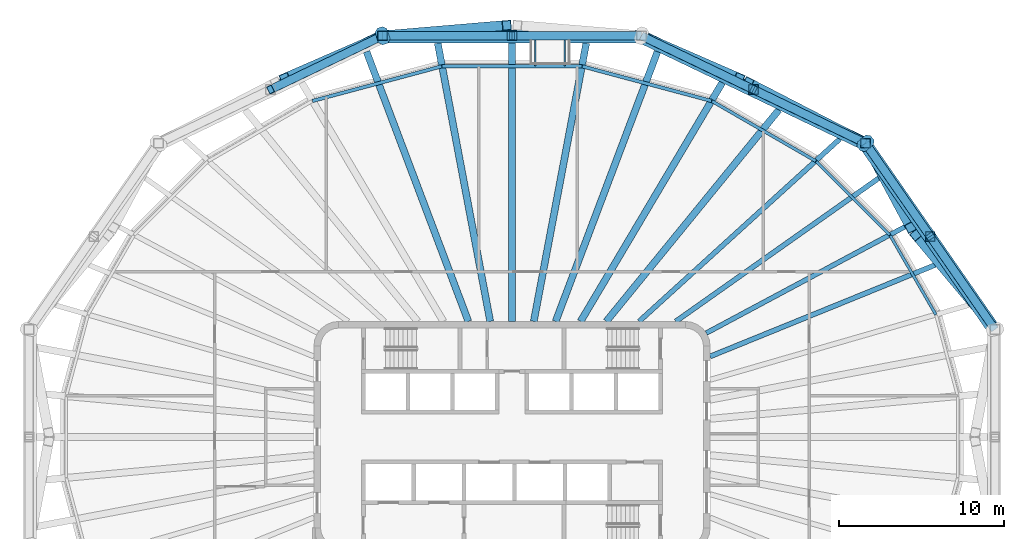
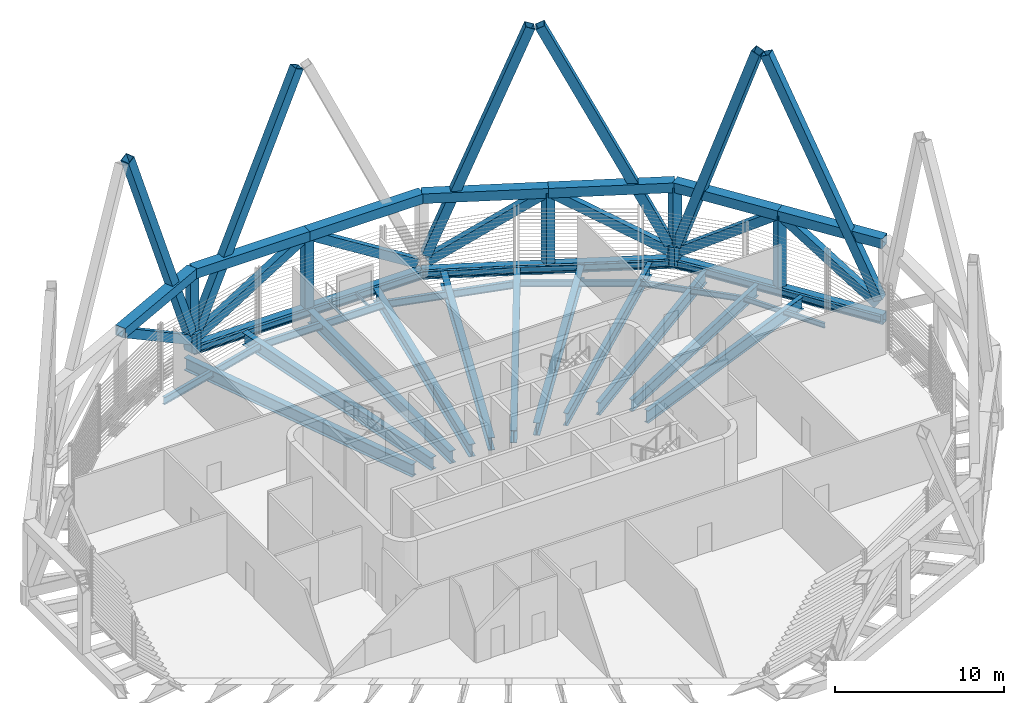
# One storey, part 4 of 16: 27 members, 25 beams.
"""IFC4 building model written with IfcOpenShell, lengths in metres."""

from ifc_helpers import new_model, si_unit, direction, frame, origin, origin_2d, place, context, subcontext, project, spatial, polyline, hollow_rectangle, i_section, outline, extrude, material, material_profile, profile_set, type_object, element, save


model = new_model("IFC4")

# Units and contexts
model_context = context("Model", 3, precision=1e-05, world=origin(), true_north=direction((0.0, 1.0)))
body_context = subcontext(model_context, "Body", "Model", "MODEL_VIEW")
ifc_project = project(units=[si_unit("LENGTHUNIT", "METRE"), si_unit("AREAUNIT", "SQUARE_METRE"), si_unit("VOLUMEUNIT", "CUBIC_METRE"), si_unit("PLANEANGLEUNIT", "RADIAN"), si_unit("MASSUNIT", "GRAM", prefix="KILO")], contexts=[model_context])

# Site, building, storey
site_placement = place(None, origin())
site = spatial("IfcSite", under=ifc_project, at=site_placement, CompositionType="ELEMENT")
building_placement = place(site_placement, origin())
building = spatial("IfcBuilding", under=site, at=building_placement, Name="Sahrelin Media Tower", CompositionType="ELEMENT")
storey_placement = place(building_placement, frame((0.0, 0.0, 299.0)))
storey = spatial("IfcBuildingStorey", under=building, at=storey_placement, Name="L66", CompositionType="ELEMENT", Elevation=299.0)

# Members
ifc_material_1 = material(Name="Steel S460", Category="steel")
ifc_material_profile_1 = material_profile(ifc_material_1, hollow_rectangle(XDim=0.699951171875, YDim=0.699951171875, WallThickness=0.044921875, at=origin_2d()), Name="Belt truss chord BC")
ifc_profile_set_1 = profile_set([ifc_material_profile_1], Name="Steel S460")
member_type_1 = type_object("IfcMemberType", Name="Belt truss chord BC", PredefinedType="CHORD", material=ifc_profile_set_1)
for number, where, z_axis, x_axis, name in (
    (1, (29.249755859375, 6.511962890625, 4.89990234375), (-0.57061963931, 0.821214483088, 0.0), (-0.821214483088, -0.57061963931, 0.0), "Belt truss member BT15-00-T1"),
    (2, (25.3310546875, 12.151611328125, 4.89990234375), (-0.57061963931, 0.821214483088, 0.0), (-0.821214483088, -0.57061963931, 0.0), "Belt truss member BT15-00-T2"),
):
    element("IfcMember", number, at=place(storey_placement, frame(where, z_axis=z_axis, x_axis=x_axis)), inside=storey, type_object=member_type_1, Name=name, PredefinedType="CHORD", context=body_context, shape_type="SweptSolid", body=[
        extrude(hollow_rectangle(XDim=0.699951171875, YDim=0.699951171875, WallThickness=0.044921875, at=origin_2d()), origin(), (0.0, 0.0, 1.0), 6.867431640625),
    ])
member_1_placement = place(storey_placement, frame((21.412353515625, 17.791259765625, 4.89990234375), z_axis=(-0.901630319663, 0.432507533651, 0.0), x_axis=(-0.432507533651, -0.901630319663, 0.0)))
element("IfcMember", 3, at=member_1_placement, inside=storey, type_object=member_type_1, Name="Belt truss member BT15-01-T1", PredefinedType="CHORD", context=body_context, shape_type="SweptSolid", body=[
    extrude(hollow_rectangle(XDim=0.699951171875, YDim=0.699951171875, WallThickness=0.044921875, at=origin_2d()), origin(), (0.0, 0.0, 1.0), 7.52783203125),
])
member_2_placement = place(storey_placement, frame((14.625, 21.047119140625, 4.89990234375), z_axis=(-0.901623739504, 0.432521250765, 0.0), x_axis=(-0.432521250765, -0.901623739504, 0.0)))
element("IfcMember", 4, at=member_2_placement, inside=storey, type_object=member_type_1, Name="Belt truss member BT15-01-T2", PredefinedType="CHORD", context=body_context, shape_type="SweptSolid", body=[
    extrude(hollow_rectangle(XDim=0.699951171875, YDim=0.699951171875, WallThickness=0.044921875, at=origin_2d()), origin(), (0.0, 0.0, 1.0), 7.528076171875),
])
for number, where, z_axis, x_axis, name in (
    (5, (7.83740234375, 24.30322265625, 4.89990234375), (-1.0, 0.0, 0.0), (0.0, -1.0, 0.0), "Belt truss member BT15-02-T1"),
    (6, (0.0, 24.30322265625, 4.89990234375), (-1.0, 0.0, 0.0), (0.0, -1.0, 0.0), "Belt truss member BT15-02-T2"),
):
    element("IfcMember", number, at=place(storey_placement, frame(where, z_axis=z_axis, x_axis=x_axis)), inside=storey, type_object=member_type_1, Name=name, PredefinedType="CHORD", context=body_context, shape_type="SweptSolid", body=[
        extrude(hollow_rectangle(XDim=0.699951171875, YDim=0.699951171875, WallThickness=0.044921875, at=origin_2d()), origin(), (0.0, 0.0, 1.0), 7.83740234375),
    ])
member_3_placement = place(storey_placement, frame((-7.83740234375, 24.30322265625, 4.89990234375), z_axis=(-0.901623739504, -0.432521250765, 0.0), x_axis=(0.432521250765, -0.901623739504, 0.0)))
element("IfcMember", 7, at=member_3_placement, inside=storey, type_object=member_type_1, Name="Belt truss member BT15-03-T1", PredefinedType="CHORD", context=body_context, shape_type="SweptSolid", body=[
    extrude(hollow_rectangle(XDim=0.699951171875, YDim=0.699951171875, WallThickness=0.044921875, at=origin_2d()), origin(), (0.0, 0.0, 1.0), 7.528076171875),
])
ifc_material_profile_2 = material_profile(ifc_material_1, hollow_rectangle(XDim=0.5, YDim=0.60009765625, WallThickness=0.030029296875, at=origin_2d()), Name="Belt truss diagonal BD")
ifc_profile_set_2 = profile_set([ifc_material_profile_2], Name="Steel S460")
member_type_2 = type_object("IfcMemberType", Name="Belt truss diagonal BD", PredefinedType="BRACE", material=ifc_profile_set_2)
member_4_placement = place(storey_placement, frame((29.0185546875, 6.8447265625, 0.2890625), z_axis=(-0.464505666536, 0.668495741094, 0.580816606077), x_axis=(-0.821213093628, -0.570621638964, 0.0)))
element("IfcMember", 8, at=member_4_placement, inside=storey, type_object=member_type_2, Name="Belt truss member BT15-00-X1", PredefinedType="BRACE", context=body_context, shape_type="SweptSolid", body=[
    extrude(hollow_rectangle(XDim=0.5, YDim=0.60009765625, WallThickness=0.030029296875, at=origin_2d()), origin(), (0.0, 0.0, 1.0), 7.9384765625),
])
member_5_placement = place(storey_placement, frame((21.627197265625, 17.482177734375, 0.2685546875), z_axis=(0.464498339308, -0.668502850205, 0.580814283612), x_axis=(0.8212201551, 0.570611476276, 0.0)))
element("IfcMember", 9, at=member_5_placement, inside=storey, type_object=member_type_2, Name="Belt truss member BT15-00-X2", PredefinedType="BRACE", context=body_context, shape_type="SweptSolid", body=[
    extrude(hollow_rectangle(XDim=0.5, YDim=0.60009765625, WallThickness=0.030029296875, at=origin_2d()), origin(), (0.0, 0.0, 1.0), 7.973876953125),
])
member_6_placement = place(storey_placement, frame((21.040283203125, 17.9697265625, 0.2685546875), z_axis=(-0.755651842776, 0.362483977554, 0.545523288711), x_axis=(-0.432509071773, -0.901629581832, 0.0)))
element("IfcMember", 10, at=member_6_placement, inside=storey, type_object=member_type_2, Name="Belt truss member BT15-01-X1", PredefinedType="BRACE", context=body_context, shape_type="SweptSolid", body=[
    extrude(hollow_rectangle(XDim=0.5, YDim=0.60009765625, WallThickness=0.030029296875, at=origin_2d()), origin(), (0.0, 0.0, 1.0), 8.48974609375),
])
member_7_placement = place(storey_placement, frame((8.1787109375, 24.139404296875, 0.246337890625), z_axis=(0.755659301313, -0.362489801183, 0.545509087347), x_axis=(0.432511250119, 0.901628536882, 0.0)))
element("IfcMember", 11, at=member_7_placement, inside=storey, type_object=member_type_2, Name="Belt truss member BT15-01-X2", PredefinedType="BRACE", context=body_context, shape_type="SweptSolid", body=[
    extrude(hollow_rectangle(XDim=0.5, YDim=0.60009765625, WallThickness=0.030029296875, at=origin_2d()), origin(), (0.0, 0.0, 1.0), 8.53076171875),
])
for number, where, z_axis, x_axis, name in (
    (12, (7.443359375, 24.30322265625, 0.246337890625), (-0.847923297656, 0.0, 0.530118931272), (0.0, -1.0, 0.0), "Belt truss member BT15-02-X1"),
    (13, (-7.443359375, 24.30322265625, 0.246337890625), (0.847923297656, 0.0, 0.530118931272), (0.0, 1.0, 0.0), "Belt truss member BT15-02-X2"),
):
    element("IfcMember", number, at=place(storey_placement, frame(where, z_axis=z_axis, x_axis=x_axis)), inside=storey, type_object=member_type_2, Name=name, PredefinedType="BRACE", context=body_context, shape_type="SweptSolid", body=[
        extrude(hollow_rectangle(XDim=0.5, YDim=0.60009765625, WallThickness=0.030029296875, at=origin_2d()), origin(), (0.0, 0.0, 1.0), 8.7783203125),
    ])
member_8_placement = place(storey_placement, frame((-8.1787109375, 24.139404296875, 0.246337890625), z_axis=(-0.755659301313, -0.362489801183, 0.545509087347), x_axis=(0.432511250119, -0.901628536882, 0.0)))
element("IfcMember", 14, at=member_8_placement, inside=storey, type_object=member_type_2, Name="Belt truss member BT15-03-X1", PredefinedType="BRACE", context=body_context, shape_type="SweptSolid", body=[
    extrude(hollow_rectangle(XDim=0.5, YDim=0.60009765625, WallThickness=0.030029296875, at=origin_2d()), origin(), (0.0, 0.0, 1.0), 8.53076171875),
])
ifc_material_profile_3 = material_profile(ifc_material_1, hollow_rectangle(XDim=0.60009765625, YDim=0.60009765625, WallThickness=0.034912109375, at=origin_2d()), Name="Belt truss post BP")
ifc_profile_set_3 = profile_set([ifc_material_profile_3], Name="Steel S460")
member_type_3 = type_object("IfcMemberType", Name="Belt truss post BP", PredefinedType="POST", material=ifc_profile_set_3)
member_9_placement = place(storey_placement, frame((25.3310546875, 12.151611328125, -0.320068359375), z_axis=(0.0, 0.0, 1.0), x_axis=(1.0, 0.0, 0.0)))
element("IfcMember", 15, at=member_9_placement, inside=storey, type_object=member_type_3, Name="Belt truss member BT15-00-P1", PredefinedType="POST", context=body_context, shape_type="SweptSolid", body=[
    extrude(hollow_rectangle(XDim=0.60009765625, YDim=0.60009765625, WallThickness=0.034912109375, at=origin_2d()), origin(), (0.0, 0.0, 1.0), 5.219970703125),
])
member_10_placement = place(storey_placement, frame((21.412353515625, 17.791259765625, 0.699951171875), z_axis=(0.0, 0.0, 1.0), x_axis=(1.0, 0.0, 0.0)))
element("IfcMember", 16, at=member_10_placement, inside=storey, type_object=member_type_3, Name="Belt truss member BT15-01-P0", PredefinedType="POST", context=body_context, shape_type="SweptSolid", body=[
    extrude(hollow_rectangle(XDim=0.60009765625, YDim=0.60009765625, WallThickness=0.034912109375, at=origin_2d()), origin(), (0.0, 0.0, 1.0), 4.199951171875),
])
for number, where, z_axis, x_axis, name in (
    (17, (14.625, 21.047119140625, -0.320068359375), (0.0, 0.0, 1.0), (1.0, 0.0, 0.0), "Belt truss member BT15-01-P1"),
    (18, (0.0, 24.30322265625, -0.320068359375), (0.0, 0.0, 1.0), (1.0, 0.0, 0.0), "Belt truss member BT15-02-P1"),
):
    element("IfcMember", number, at=place(storey_placement, frame(where, z_axis=z_axis, x_axis=x_axis)), inside=storey, type_object=member_type_3, Name=name, PredefinedType="POST", context=body_context, shape_type="SweptSolid", body=[
        extrude(hollow_rectangle(XDim=0.60009765625, YDim=0.60009765625, WallThickness=0.034912109375, at=origin_2d()), origin(), (0.0, 0.0, 1.0), 5.219970703125),
    ])
member_11_placement = place(storey_placement, frame((-7.83740234375, 24.30322265625, 0.699951171875), z_axis=(0.0, 0.0, 1.0), x_axis=(1.0, 0.0, 0.0)))
element("IfcMember", 19, at=member_11_placement, inside=storey, type_object=member_type_3, Name="Belt truss member BT15-03-P0", PredefinedType="POST", context=body_context, shape_type="SweptSolid", body=[
    extrude(hollow_rectangle(XDim=0.60009765625, YDim=0.60009765625, WallThickness=0.034912109375, at=origin_2d()), origin(), (0.0, 0.0, 1.0), 4.199951171875),
])
ifc_material_profile_4 = material_profile(ifc_material_1, hollow_rectangle(XDim=0.60009765625, YDim=0.60009765625, WallThickness=0.030029296875, at=origin_2d()), Name="Diagrid diagonal DG9")
ifc_profile_set_4 = profile_set([ifc_material_profile_4], Name="Steel S460")
member_type_4 = type_object("IfcMemberType", Name="Diagrid diagonal DG9", PredefinedType="BRACE", material=ifc_profile_set_4)
member_12_placement = place(storey_placement, frame((29.049072265625, 6.752197265625, 0.699951171875), z_axis=(-0.261627271763, 0.313183766773, 0.912944192654), x_axis=(-0.767448460671, -0.641110645844, 0.0)))
element("IfcMember", 20, at=member_12_placement, inside=storey, type_object=member_type_4, Name="Diagrid diagonal D15-01", PredefinedType="BRACE", context=body_context, shape_type="SweptSolid", body=[
    extrude(hollow_rectangle(XDim=0.60009765625, YDim=0.60009765625, WallThickness=0.030029296875, at=origin_2d()), origin(), (0.0, 0.0, 1.0), 17.525634765625),
])
member_13_placement = place(storey_placement, frame((21.527099609375, 17.57763671875, 0.699951171875), z_axis=(0.154809391021, -0.288380611885, 0.944918343107), x_axis=(0.88107296404, 0.472980371726, 0.0)))
element("IfcMember", 21, at=member_13_placement, inside=storey, type_object=member_type_4, Name="Diagrid diagonal D15-02", PredefinedType="BRACE", context=body_context, shape_type="SweptSolid", body=[
    extrude(hollow_rectangle(XDim=0.60009765625, YDim=0.60009765625, WallThickness=0.030029296875, at=origin_2d()), origin(), (0.0, 0.0, 1.0), 16.9326171875),
])
member_14_placement = place(storey_placement, frame((21.114501953125, 17.945068359375, 0.699951171875), z_axis=(-0.38375642094, 0.198346169942, 0.901881259511), x_axis=(-0.459151636747, -0.888357908994, 0.0)))
element("IfcMember", 22, at=member_14_placement, inside=storey, type_object=member_type_4, Name="Diagrid diagonal D15-03", PredefinedType="BRACE", context=body_context, shape_type="SweptSolid", body=[
    extrude(hollow_rectangle(XDim=0.60009765625, YDim=0.60009765625, WallThickness=0.030029296875, at=origin_2d()), origin(), (0.0, 0.0, 1.0), 17.74072265625),
])
member_15_placement = place(storey_placement, frame((8.085693359375, 24.1953125, 0.699951171875), z_axis=(0.330766268766, -0.14395064145, 0.932669227686), x_axis=(0.39905066652, 0.91692887704, 0.0)))
element("IfcMember", 23, at=member_15_placement, inside=storey, type_object=member_type_4, Name="Diagrid diagonal D15-04", PredefinedType="BRACE", context=body_context, shape_type="SweptSolid", body=[
    extrude(hollow_rectangle(XDim=0.60009765625, YDim=0.60009765625, WallThickness=0.030029296875, at=origin_2d()), origin(), (0.0, 0.0, 1.0), 17.155029296875),
])
member_16_placement = place(storey_placement, frame((-7.522216796875, 24.32958984375, 0.699951171875), z_axis=(0.410453220664, 0.034510328377, 0.911228396661), x_axis=(-0.083782972623, 0.996484025712, 0.0)))
element("IfcMember", 24, at=member_16_placement, inside=storey, type_object=member_type_4, Name="Diagrid diagonal D15-06", PredefinedType="BRACE", context=body_context, shape_type="SweptSolid", body=[
    extrude(hollow_rectangle(XDim=0.60009765625, YDim=0.60009765625, WallThickness=0.030029296875, at=origin_2d()), origin(), (0.0, 0.0, 1.0), 17.55859375),
])
member_17_placement = place(storey_placement, frame((-8.085693359375, 24.1953125, 0.699951171875), z_axis=(-0.330766268766, -0.14395064145, 0.932669227686), x_axis=(0.39905066652, -0.91692887704, 0.0)))
element("IfcMember", 25, at=member_17_placement, inside=storey, type_object=member_type_4, Name="Diagrid diagonal D15-07", PredefinedType="BRACE", context=body_context, shape_type="SweptSolid", body=[
    extrude(hollow_rectangle(XDim=0.60009765625, YDim=0.60009765625, WallThickness=0.030029296875, at=origin_2d()), origin(), (0.0, 0.0, 1.0), 17.155029296875),
])
ifc_material_profile_5 = material_profile(ifc_material_1, outline(polyline([(0.324951171875, -0.375), (0.52490234375, -0.175048828125), (0.52490234375, 0.175048828125), (0.324951171875, 0.375), (-0.324951171875, 0.375), (-0.52490234375, 0.175048828125), (-0.52490234375, -0.175048828125), (-0.324951171875, -0.375), (0.324951171875, -0.375)])), Name="Diagrid node block 1050")
ifc_profile_set_5 = profile_set([ifc_material_profile_5], Name="Steel S460")
member_type_5 = type_object("IfcMemberType", Name="Diagrid node block 1050", PredefinedType="USERDEFINED", material=ifc_profile_set_5)
for number, where, z_axis, x_axis, name in (
    (26, (21.412353515625, 17.791259765625, -0.699951171875), (0.0, 0.0, 1.0), (0.769146421413, 0.639072595585, 0.0), "Diagrid node N15-01"),
    (27, (-7.83740234375, 24.30322265625, -0.699951171875), (0.0, 0.0, 1.0), (-0.306919783056, 0.951735386948, 0.0), "Diagrid node N15-03"),
):
    element("IfcMember", number, at=place(storey_placement, frame(where, z_axis=z_axis, x_axis=x_axis)), inside=storey, type_object=member_type_5, Name=name, ObjectType="NODE", PredefinedType="USERDEFINED", context=body_context, shape_type="SweptSolid", body=[
        extrude(outline(polyline([(0.324951171875, -0.375), (0.52490234375, -0.175048828125), (0.52490234375, 0.175048828125), (0.324951171875, 0.375), (-0.324951171875, 0.375), (-0.52490234375, 0.175048828125), (-0.52490234375, -0.175048828125), (-0.324951171875, -0.375), (0.324951171875, -0.375)])), origin(), (0.0, 0.0, 1.0), 1.39990234375),
    ])

# Beams
ifc_material_profile_6 = material_profile(ifc_material_1, hollow_rectangle(XDim=0.5, YDim=0.699951171875, WallThickness=0.034912109375, at=origin_2d()), Name="Diagrid ring beam RB2")
ifc_profile_set_6 = profile_set([ifc_material_profile_6], Name="Steel S460")
beam_type_1 = type_object("IfcBeamType", Name="Diagrid ring beam RB2", PredefinedType="BEAM", material=ifc_profile_set_6)
beam_1_placement = place(storey_placement, frame((29.249755859375, 6.511962890625, -0.64990234375), z_axis=(-0.57061963931, 0.821214483088, 0.0), x_axis=(-0.821214483088, -0.57061963931, 0.0)))
element("IfcBeam", 28, at=beam_1_placement, inside=storey, type_object=beam_type_1, Name="Diagrid ring beam RB15-00", PredefinedType="BEAM", context=body_context, shape_type="SweptSolid", body=[
    extrude(hollow_rectangle(XDim=0.5, YDim=0.699951171875, WallThickness=0.034912109375, at=origin_2d()), origin(), (0.0, 0.0, 1.0), 13.73486328125),
])
beam_2_placement = place(storey_placement, frame((21.412353515625, 17.791259765625, -0.64990234375), z_axis=(-0.901627029538, 0.432514392369, 0.0), x_axis=(-0.432514392369, -0.901627029538, 0.0)))
element("IfcBeam", 29, at=beam_2_placement, inside=storey, type_object=beam_type_1, Name="Diagrid ring beam RB15-01", PredefinedType="BEAM", context=body_context, shape_type="SweptSolid", body=[
    extrude(hollow_rectangle(XDim=0.5, YDim=0.699951171875, WallThickness=0.034912109375, at=origin_2d()), origin(), (0.0, 0.0, 1.0), 15.05615234375),
])
beam_3_placement = place(storey_placement, frame((7.83740234375, 24.30322265625, -0.64990234375), z_axis=(-1.0, 0.0, 0.0), x_axis=(0.0, -1.0, 0.0)))
element("IfcBeam", 30, at=beam_3_placement, inside=storey, type_object=beam_type_1, Name="Diagrid ring beam RB15-02", PredefinedType="BEAM", context=body_context, shape_type="SweptSolid", body=[
    extrude(hollow_rectangle(XDim=0.5, YDim=0.699951171875, WallThickness=0.034912109375, at=origin_2d()), origin(), (0.0, 0.0, 1.0), 15.6748046875),
])
ifc_material_2 = material(Name="Steel S355", Category="steel")
ifc_material_profile_7 = material_profile(ifc_material_2, i_section(OverallWidth=0.17138671875, OverallDepth=0.35498046875, WebThickness=0.00732421875, FlangeThickness=0.011474609375, FilletRadius=0.01025390625, at=origin_2d()), Name="UB 356x171x51")
ifc_profile_set_7 = profile_set([ifc_material_profile_7], Name="Steel S355")
beam_type_2 = type_object("IfcBeamType", Name="Edge beam EB3", PredefinedType="BEAM", material=ifc_profile_set_7)
beam_4_placement = place(storey_placement, frame((22.904052734375, 12.209228515625, -0.4775390625), z_axis=(0.499971556956, -0.866041824761, 0.0), x_axis=(0.866041824761, 0.499971556956, 0.0)))
element("IfcBeam", 31, at=beam_4_placement, inside=storey, type_object=beam_type_2, Name="Edge beam L66-23", PredefinedType="BEAM", context=body_context, shape_type="SweptSolid", body=[
    extrude(i_section(OverallWidth=0.17138671875, OverallDepth=0.35498046875, WebThickness=0.00732421875, FlangeThickness=0.011474609375, FilletRadius=0.01025390625, at=origin_2d()), origin(), (0.0, 0.0, 1.0), 5.542724609375),
])
ifc_material_profile_8 = material_profile(ifc_material_2, i_section(OverallWidth=0.177978515625, OverallDepth=0.406494140625, WebThickness=0.0078125, FlangeThickness=0.0126953125, FilletRadius=0.01025390625, at=origin_2d()), Name="UB 406x178x60")
ifc_profile_set_8 = profile_set([ifc_material_profile_8], Name="Steel S355")
beam_type_3 = type_object("IfcBeamType", Name="Edge beam EB4", PredefinedType="BEAM", material=ifc_profile_set_8)
beam_5_placement = place(storey_placement, frame((18.424072265625, 16.6943359375, -0.503173828125), z_axis=(0.707126124563, -0.707087437281, 0.0), x_axis=(0.707087437281, 0.707126124563, 0.0)))
element("IfcBeam", 32, at=beam_5_placement, inside=storey, type_object=beam_type_3, Name="Edge beam L66-22", PredefinedType="BEAM", context=body_context, shape_type="SweptSolid", body=[
    extrude(i_section(OverallWidth=0.177978515625, OverallDepth=0.406494140625, WebThickness=0.0078125, FlangeThickness=0.0126953125, FilletRadius=0.01025390625, at=origin_2d()), origin(), (0.0, 0.0, 1.0), 6.310546875),
])
ifc_material_profile_9 = material_profile(ifc_material_2, i_section(OverallWidth=0.1904296875, OverallDepth=0.45703125, WebThickness=0.009033203125, FlangeThickness=0.014404296875, FilletRadius=0.01025390625, at=origin_2d()), Name="UB 457x191x74")
ifc_profile_set_9 = profile_set([ifc_material_profile_9], Name="Steel S355")
beam_type_4 = type_object("IfcBeamType", Name="Edge beam EB5", PredefinedType="BEAM", material=ifc_profile_set_9)
beam_6_placement = place(storey_placement, frame((12.11328125, 20.34228515625, -0.528564453125), z_axis=(0.866020397698, -0.500008670696, 0.0), x_axis=(0.500008670696, 0.866020397698, 0.0)))
element("IfcBeam", 33, at=beam_6_placement, inside=storey, type_object=beam_type_4, Name="Edge beam L66-21", PredefinedType="BEAM", context=body_context, shape_type="SweptSolid", body=[
    extrude(i_section(OverallWidth=0.1904296875, OverallDepth=0.45703125, WebThickness=0.009033203125, FlangeThickness=0.014404296875, FilletRadius=0.01025390625, at=origin_2d()), origin(), (0.0, 0.0, 1.0), 7.260498046875),
])
ifc_material_profile_10 = material_profile(ifc_material_2, i_section(OverallWidth=0.208740234375, OverallDepth=0.5283203125, WebThickness=0.009521484375, FlangeThickness=0.01318359375, FilletRadius=0.0126953125, at=origin_2d()), Name="UB 533x210x82")
ifc_profile_set_10 = profile_set([ifc_material_profile_10], Name="Steel S355")
beam_type_5 = type_object("IfcBeamType", Name="Edge beam EB6", PredefinedType="BEAM", material=ifc_profile_set_10)
beam_7_placement = place(storey_placement, frame((-12.086669921875, 20.353515625, -0.564208984375), z_axis=(0.9659348785, 0.25878525943, 0.0), x_axis=(-0.25878525943, 0.9659348785, 0.0)))
element("IfcBeam", 34, at=beam_7_placement, inside=storey, type_object=beam_type_5, Name="Edge beam L66-18", PredefinedType="BEAM", context=body_context, shape_type="SweptSolid", body=[
    extrude(i_section(OverallWidth=0.208740234375, OverallDepth=0.5283203125, WebThickness=0.009521484375, FlangeThickness=0.01318359375, FilletRadius=0.0126953125, at=origin_2d()), origin(), (0.0, 0.0, 1.0), 8.106689453125),
])
beam_8_placement = place(storey_placement, frame((-4.2275390625, 22.455322265625, -0.564208984375), z_axis=(1.0, 0.0, 0.0), x_axis=(0.0, 1.0, 0.0)))
element("IfcBeam", 35, at=beam_8_placement, inside=storey, type_object=beam_type_5, Name="Edge beam L66-19", PredefinedType="BEAM", context=body_context, shape_type="SweptSolid", body=[
    extrude(i_section(OverallWidth=0.208740234375, OverallDepth=0.5283203125, WebThickness=0.009521484375, FlangeThickness=0.01318359375, FilletRadius=0.0126953125, at=origin_2d()), origin(), (0.0, 0.0, 1.0), 8.455078125),
])
beam_9_placement = place(storey_placement, frame((4.256103515625, 22.451416015625, -0.564208984375), z_axis=(0.9659348785, -0.25878525943, 0.0), x_axis=(0.25878525943, 0.9659348785, 0.0)))
element("IfcBeam", 36, at=beam_9_placement, inside=storey, type_object=beam_type_5, Name="Edge beam L66-20", PredefinedType="BEAM", context=body_context, shape_type="SweptSolid", body=[
    extrude(i_section(OverallWidth=0.208740234375, OverallDepth=0.5283203125, WebThickness=0.009521484375, FlangeThickness=0.01318359375, FilletRadius=0.0126953125, at=origin_2d()), origin(), (0.0, 0.0, 1.0), 8.106689453125),
])
ifc_material_profile_11 = material_profile(ifc_material_2, hollow_rectangle(XDim=0.10009765625, YDim=0.199951171875, WallThickness=0.008056640625, at=origin_2d()), Name="RHS 200x100x8")
ifc_profile_set_11 = profile_set([ifc_material_profile_11], Name="Steel S355")
beam_type_6 = type_object("IfcBeamType", Name="Platform support beam", PredefinedType="BEAM", material=ifc_profile_set_11)
for number, where, z_axis, x_axis, name in (
    (37, (3.199951171875, 22.460205078125, -0.39990234375), (0.0, 1.0, 0.0), (-1.0, 0.0, 0.0), "Platform support beam L66-06"),
    (38, (1.39990234375, 22.460205078125, -0.39990234375), (0.0, 1.0, 0.0), (-1.0, 0.0, 0.0), "Platform support beam L66-06"),
):
    element("IfcBeam", number, at=place(storey_placement, frame(where, z_axis=z_axis, x_axis=x_axis)), inside=storey, type_object=beam_type_6, Name=name, PredefinedType="BEAM", context=body_context, shape_type="SweptSolid", body=[
        extrude(hollow_rectangle(XDim=0.10009765625, YDim=0.199951171875, WallThickness=0.008056640625, at=origin_2d()), origin(), (0.0, 0.0, 1.0), 1.593017578125),
    ])
ifc_material_profile_12 = material_profile(ifc_material_2, i_section(OverallWidth=0.291748046875, OverallDepth=0.8349609375, WebThickness=0.013916015625, FlangeThickness=0.018798828125, FilletRadius=0.017822265625, at=origin_2d()), Name="UB 838x292x176")
ifc_profile_set_12 = profile_set([ifc_material_profile_12], Name="Steel S355")
beam_type_7 = type_object("IfcBeamType", Name="Radial primary beam PB10", PredefinedType="BEAM", material=ifc_profile_set_12)
beam_10_placement = place(storey_placement, frame((11.76513671875, 6.294189453125, -0.71728515625), z_axis=(0.881741530258, 0.471732841573, 0.0), x_axis=(-0.471732841573, 0.881741530258, 0.0)))
element("IfcBeam", 39, at=beam_10_placement, inside=storey, type_object=beam_type_7, Name="Radial beam L66-03", PredefinedType="BEAM", context=body_context, shape_type="SweptSolid", body=[
    extrude(i_section(OverallWidth=0.291748046875, OverallDepth=0.8349609375, WebThickness=0.013916015625, FlangeThickness=0.018798828125, FilletRadius=0.017822265625, at=origin_2d()), origin(), (0.0, 0.0, 1.0), 14.132568359375),
])
ifc_material_profile_13 = material_profile(ifc_material_2, i_section(OverallWidth=0.30322265625, OverallDepth=0.903076171875, WebThickness=0.01513671875, FlangeThickness=0.020263671875, FilletRadius=0.01904296875, at=origin_2d()), Name="UB 914x305x201")
ifc_profile_set_13 = profile_set([ifc_material_profile_13], Name="Steel S355")
beam_type_8 = type_object("IfcBeamType", Name="Radial primary beam PB11", PredefinedType="BEAM", material=ifc_profile_set_13)
beam_11_placement = place(storey_placement, frame((7.699462890625, 7.0, -0.75146484375), z_axis=(0.739921909671, 0.672692773552, 0.0), x_axis=(-0.672692773552, 0.739921909671, 0.0)))
element("IfcBeam", 40, at=beam_11_placement, inside=storey, type_object=beam_type_8, Name="Radial beam L66-04", PredefinedType="BEAM", context=body_context, shape_type="SweptSolid", body=[
    extrude(i_section(OverallWidth=0.30322265625, OverallDepth=0.903076171875, WebThickness=0.01513671875, FlangeThickness=0.020263671875, FilletRadius=0.01904296875, at=origin_2d()), origin(), (0.0, 0.0, 1.0), 16.421630859375),
])
ifc_material_profile_14 = material_profile(ifc_material_2, i_section(OverallWidth=0.41845703125, OverallDepth=0.911865234375, WebThickness=0.019287109375, FlangeThickness=0.031982421875, FilletRadius=0.024169921875, at=origin_2d()), Name="UB 914x419x343")
ifc_profile_set_14 = profile_set([ifc_material_profile_14], Name="Steel S355")
beam_type_9 = type_object("IfcBeamType", Name="Radial primary beam PB12", PredefinedType="BEAM", material=ifc_profile_set_14)
beam_12_placement = place(storey_placement, frame((4.15380859375, 7.0, -0.755859375), z_axis=(0.510328059934, 0.859979808626, 0.0), x_axis=(-0.859979808626, 0.510328059934, 0.0)))
element("IfcBeam", 41, at=beam_12_placement, inside=storey, type_object=beam_type_9, Name="Radial beam L66-05", PredefinedType="BEAM", context=body_context, shape_type="SweptSolid", body=[
    extrude(i_section(OverallWidth=0.41845703125, OverallDepth=0.911865234375, WebThickness=0.019287109375, FlangeThickness=0.031982421875, FilletRadius=0.024169921875, at=origin_2d()), origin(), (0.0, 0.0, 1.0), 16.814208984375),
])
for number, where, z_axis, x_axis, name in (
    (42, (1.319580078125, 7.0, -0.755859375), (0.18526628542, 0.982688355221, 0.0), (-0.982688355221, 0.18526628542, 0.0), "Radial beam L66-06"),
    (43, (-1.319580078125, 7.0, -0.755859375), (-0.18526628542, 0.982688355221, 0.0), (-0.982688355221, -0.18526628542, 0.0), "Radial beam L66-07"),
):
    element("IfcBeam", number, at=place(storey_placement, frame(where, z_axis=z_axis, x_axis=x_axis)), inside=storey, type_object=beam_type_9, Name=name, PredefinedType="BEAM", context=body_context, shape_type="SweptSolid", body=[
        extrude(i_section(OverallWidth=0.41845703125, OverallDepth=0.911865234375, WebThickness=0.019287109375, FlangeThickness=0.031982421875, FilletRadius=0.024169921875, at=origin_2d()), origin(), (0.0, 0.0, 1.0), 17.15478515625),
    ])
ifc_material_profile_15 = material_profile(ifc_material_2, i_section(OverallWidth=0.30322265625, OverallDepth=0.903076171875, WebThickness=0.01513671875, FlangeThickness=0.020263671875, FilletRadius=0.01904296875, at=origin_2d()), Name="UB 914x305x201")
ifc_profile_set_15 = profile_set([ifc_material_profile_15], Name="Steel S355")
beam_type_10 = type_object("IfcBeamType", Name="Radial secondary beam SB11", PredefinedType="BEAM", material=ifc_profile_set_15)
beam_13_placement = place(storey_placement, frame((12.0, 4.878662109375, -0.75146484375), z_axis=(0.926368760693, 0.376617736189, 0.0), x_axis=(-0.376617736189, 0.926368760693, 0.0)))
element("IfcBeam", 44, at=beam_13_placement, inside=storey, type_object=beam_type_10, Name="Secondary beam L66-02", PredefinedType="BEAM", context=body_context, shape_type="SweptSolid", body=[
    extrude(i_section(OverallWidth=0.30322265625, OverallDepth=0.903076171875, WebThickness=0.01513671875, FlangeThickness=0.020263671875, FilletRadius=0.01904296875, at=origin_2d()), origin(), (0.0, 0.0, 1.0), 15.017822265625),
])
beam_14_placement = place(storey_placement, frame((9.9189453125, 7.0, -0.75146484375), z_axis=(0.817034395739, 0.576588931717, 0.0), x_axis=(-0.576588931717, 0.817034395739, 0.0)))
element("IfcBeam", 45, at=beam_14_placement, inside=storey, type_object=beam_type_10, Name="Secondary beam L66-03", PredefinedType="BEAM", context=body_context, shape_type="SweptSolid", body=[
    extrude(i_section(OverallWidth=0.30322265625, OverallDepth=0.903076171875, WebThickness=0.01513671875, FlangeThickness=0.020263671875, FilletRadius=0.01904296875, at=origin_2d()), origin(), (0.0, 0.0, 1.0), 15.1513671875),
])
ifc_material_profile_16 = material_profile(ifc_material_2, i_section(OverallWidth=0.41845703125, OverallDepth=0.911865234375, WebThickness=0.019287109375, FlangeThickness=0.031982421875, FilletRadius=0.024169921875, at=origin_2d()), Name="UB 914x419x343")
ifc_profile_set_16 = profile_set([ifc_material_profile_16], Name="Steel S355")
beam_type_11 = type_object("IfcBeamType", Name="Radial secondary beam SB12", PredefinedType="BEAM", material=ifc_profile_set_16)
beam_15_placement = place(storey_placement, frame((5.7099609375, 7.0, -0.755859375), z_axis=(0.632094771487, 0.774891089031, 0.0), x_axis=(-0.774891089031, 0.632094771487, 0.0)))
element("IfcBeam", 46, at=beam_15_placement, inside=storey, type_object=beam_type_11, Name="Secondary beam L66-04", PredefinedType="BEAM", context=body_context, shape_type="SweptSolid", body=[
    extrude(i_section(OverallWidth=0.41845703125, OverallDepth=0.911865234375, WebThickness=0.019287109375, FlangeThickness=0.031982421875, FilletRadius=0.024169921875, at=origin_2d()), origin(), (0.0, 0.0, 1.0), 16.5380859375),
])
beam_16_placement = place(storey_placement, frame((2.642333984375, 7.0, -0.755859375), z_axis=(0.353164360149, 0.935561293941, 0.0), x_axis=(-0.935561293941, 0.353164360149, 0.0)))
element("IfcBeam", 47, at=beam_16_placement, inside=storey, type_object=beam_type_11, Name="Secondary beam L66-05", PredefinedType="BEAM", context=body_context, shape_type="SweptSolid", body=[
    extrude(i_section(OverallWidth=0.41845703125, OverallDepth=0.911865234375, WebThickness=0.019287109375, FlangeThickness=0.031982421875, FilletRadius=0.024169921875, at=origin_2d()), origin(), (0.0, 0.0, 1.0), 17.467529296875),
])
beam_17_placement = place(storey_placement, frame((0.0, 7.0, -0.755859375), z_axis=(0.0, 1.0, 0.0), x_axis=(-1.0, 0.0, 0.0)))
element("IfcBeam", 48, at=beam_17_placement, inside=storey, type_object=beam_type_11, Name="Secondary beam L66-06", PredefinedType="BEAM", context=body_context, shape_type="SweptSolid", body=[
    extrude(i_section(OverallWidth=0.41845703125, OverallDepth=0.911865234375, WebThickness=0.019287109375, FlangeThickness=0.031982421875, FilletRadius=0.024169921875, at=origin_2d()), origin(), (0.0, 0.0, 1.0), 16.85791015625),
])
beam_18_placement = place(storey_placement, frame((-2.642333984375, 7.0, -0.755859375), z_axis=(-0.353164360149, 0.935561293941, 0.0), x_axis=(-0.935561293941, -0.353164360149, 0.0)))
element("IfcBeam", 49, at=beam_18_placement, inside=storey, type_object=beam_type_11, Name="Secondary beam L66-07", PredefinedType="BEAM", context=body_context, shape_type="SweptSolid", body=[
    extrude(i_section(OverallWidth=0.41845703125, OverallDepth=0.911865234375, WebThickness=0.019287109375, FlangeThickness=0.031982421875, FilletRadius=0.024169921875, at=origin_2d()), origin(), (0.0, 0.0, 1.0), 17.467529296875),
])
ifc_material_profile_17 = material_profile(ifc_material_2, i_section(OverallWidth=0.1904296875, OverallDepth=0.45703125, WebThickness=0.009033203125, FlangeThickness=0.014404296875, FilletRadius=0.01025390625, at=origin_2d()), Name="UB 457x191x74")
ifc_profile_set_17 = profile_set([ifc_material_profile_17], Name="Steel S355")
beam_type_12 = type_object("IfcBeamType", Name="Tie chord TC5", PredefinedType="BEAM", material=ifc_profile_set_17)
beam_19_placement = place(storey_placement, frame((-7.7578125, 23.952880859375, -0.528564453125), z_axis=(1.0, 0.0, 0.0), x_axis=(0.0, 1.0, 0.0)))
element("IfcBeam", 50, at=beam_19_placement, inside=storey, type_object=beam_type_12, Name="Tie chord L66-10", PredefinedType="BEAM", context=body_context, shape_type="SweptSolid", body=[
    extrude(i_section(OverallWidth=0.1904296875, OverallDepth=0.45703125, WebThickness=0.009033203125, FlangeThickness=0.014404296875, FilletRadius=0.01025390625, at=origin_2d()), origin(), (0.0, 0.0, 1.0), 15.515625),
])
beam_20_placement = place(storey_placement, frame((7.7578125, 23.952880859375, -0.528564453125), z_axis=(0.901626441331, -0.432515618553, 0.0), x_axis=(0.432515618553, 0.901626441331, 0.0)))
element("IfcBeam", 51, at=beam_20_placement, inside=storey, type_object=beam_type_12, Name="Tie chord L66-11", PredefinedType="BEAM", context=body_context, shape_type="SweptSolid", body=[
    extrude(i_section(OverallWidth=0.1904296875, OverallDepth=0.45703125, WebThickness=0.009033203125, FlangeThickness=0.014404296875, FilletRadius=0.01025390625, at=origin_2d()), origin(), (0.0, 0.0, 1.0), 14.8837890625),
])
beam_21_placement = place(storey_placement, frame((21.177490234375, 17.515380859375, -0.528564453125), z_axis=(0.57062197312, -0.821212861439, 0.0), x_axis=(0.821212861439, 0.57062197312, 0.0)))
element("IfcBeam", 52, at=beam_21_placement, inside=storey, type_object=beam_type_12, Name="Tie chord L66-12", PredefinedType="BEAM", context=body_context, shape_type="SweptSolid", body=[
    extrude(i_section(OverallWidth=0.1904296875, OverallDepth=0.45703125, WebThickness=0.009033203125, FlangeThickness=0.014404296875, FilletRadius=0.01025390625, at=origin_2d()), origin(), (0.0, 0.0, 1.0), 13.532470703125),
])

save(model, "model.ifc")
